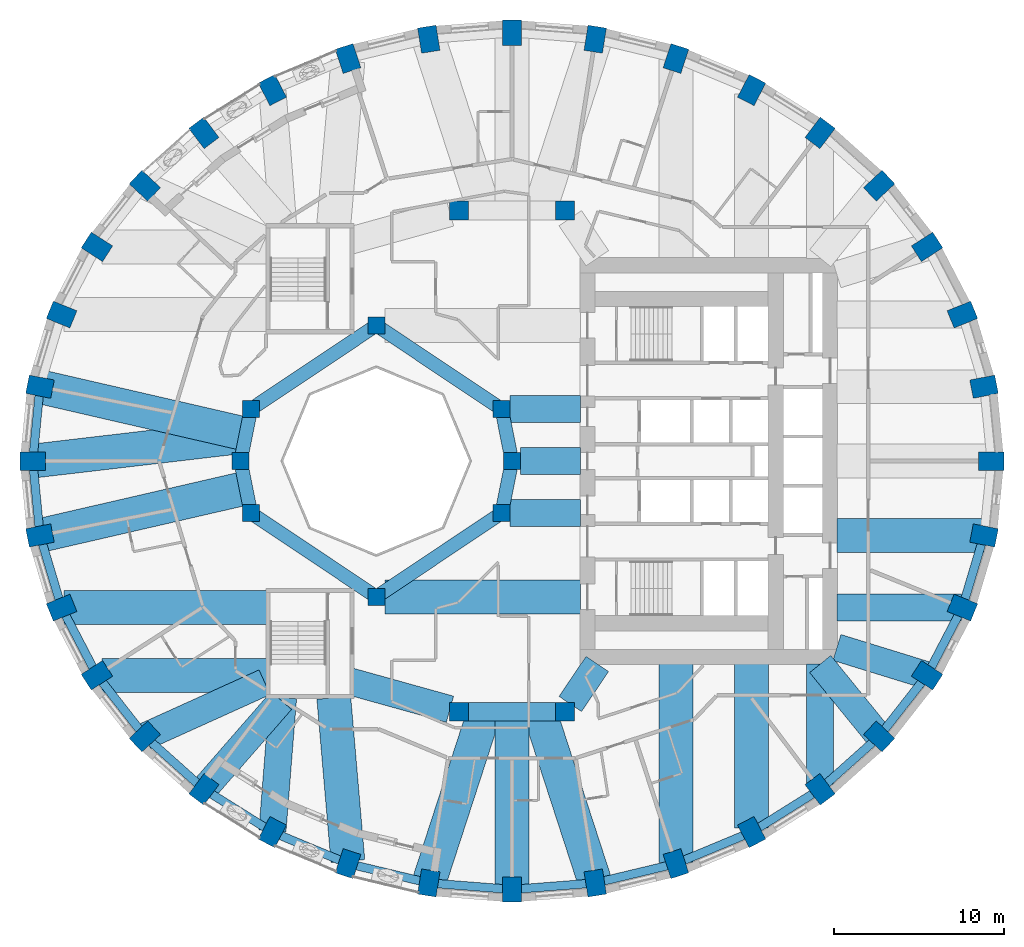
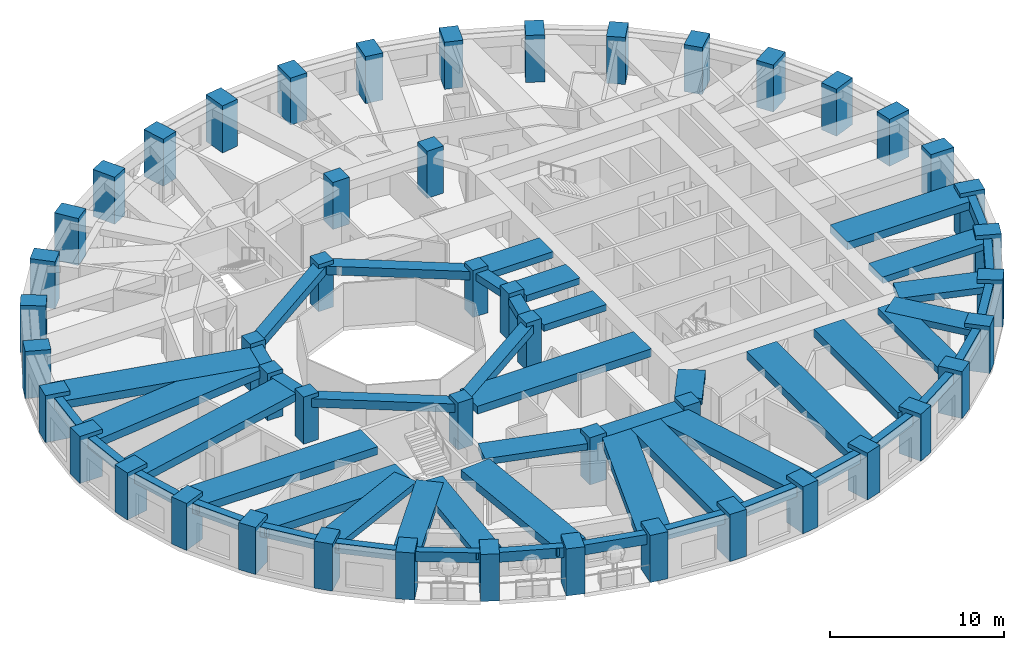
# One storey, part 1 of 13: 52 beams, 48 columns.
"""IFC4 building model written with IfcOpenShell, lengths in metres."""

from ifc_helpers import new_model, si_unit, direction, frame, origin, origin_2d, place, context, subcontext, project, spatial, rectangle, extrude, material, material_profile, profile_set, type_object, element, save


model = new_model("IFC4")

# Units and contexts
model_context = context("Model", 3, precision=1e-05, world=origin(), true_north=direction((0.0, 1.0)))
body_context = subcontext(model_context, "Body", "Model", "MODEL_VIEW")
ifc_project = project(units=[si_unit("LENGTHUNIT", "METRE"), si_unit("AREAUNIT", "SQUARE_METRE"), si_unit("VOLUMEUNIT", "CUBIC_METRE"), si_unit("PLANEANGLEUNIT", "RADIAN"), si_unit("MASSUNIT", "GRAM", prefix="KILO")], contexts=[model_context])

# Site, building, storey
site_placement = place(None, origin())
site = spatial("IfcSite", under=ifc_project, at=site_placement, CompositionType="ELEMENT")
building_placement = place(site_placement, origin())
building = spatial("IfcBuilding", under=site, at=building_placement, Name="Taillehof Tower", CompositionType="ELEMENT")
storey_placement = place(building_placement, frame((0.0, 0.0, 44.800048828125)))
storey = spatial("IfcBuildingStorey", under=building, at=storey_placement, Name="L11", CompositionType="ELEMENT", Elevation=44.800048828125)

# Columns
ifc_material_1 = material(Name="Concrete C50/60", Category="concrete")
ifc_material_profile_1 = material_profile(ifc_material_1, rectangle(XDim=1.0, YDim=1.0, at=origin_2d()), Name="RC 1000x1000")
ifc_profile_set_1 = profile_set([ifc_material_profile_1], Name="Concrete C50/60")
column_type_1 = type_object("IfcColumnType", Name="Atrium ring column C50/60 1000x1000", PredefinedType="COLUMN", material=ifc_profile_set_1)
for number, where, z_axis, x_axis, name in (
    (1, (0.0, 0.0, 0.0), (0.0, 0.0, 1.0), (1.0, 0.0, 0.0), "Column AC01"),
    (2, (-8.0, 8.0, 0.0), (0.0, 0.0, 1.0), (1.0, 0.0, 0.0), "Column AC05"),
    (3, (-15.39111328125, 3.0615234375, 0.0), (0.0, 0.0, 1.0), (1.0, 0.0, 0.0), "Column AC08"),
    (4, (-16.0, 0.0, 0.0), (0.0, 0.0, 1.0), (1.0, 0.0, 0.0), "Column AC09"),
    (5, (-15.39111328125, -3.0615234375, 0.0), (0.0, 0.0, 1.0), (1.0, 0.0, 0.0), "Column AC10"),
    (6, (-8.0, -8.0, 0.0), (0.0, 0.0, 1.0), (1.0, 0.0, 0.0), "Column AC13"),
):
    element("IfcColumn", number, at=place(storey_placement, frame(where, z_axis=z_axis, x_axis=x_axis)), inside=storey, type_object=column_type_1, Name=name, PredefinedType="COLUMN", context=body_context, shape_type="SweptSolid", body=[
        extrude(rectangle(XDim=1.0, YDim=1.0, at=origin_2d()), origin(), (0.0, 0.0, 1.0), 3.300048828125),
    ])
ifc_material_2 = material(Name="Concrete C60/75", Category="concrete")
ifc_material_profile_2 = material_profile(ifc_material_2, rectangle(XDim=1.0, YDim=1.0, at=origin_2d()), Name="RC 1000x1000")
ifc_profile_set_2 = profile_set([ifc_material_profile_2], Name="Concrete C60/75")
column_type_2 = type_object("IfcColumnType", Name="Atrium ring column C60/75 1000x1000", PredefinedType="COLUMN", material=ifc_profile_set_2)
for number, where, z_axis, x_axis, name in (
    (7, (-0.60888671875, 3.0615234375, 0.0), (0.0, 0.0, 1.0), (1.0, 0.0, 0.0), "Column AC02"),
    (8, (-0.60888671875, -3.0615234375, 0.0), (0.0, 0.0, 1.0), (1.0, 0.0, 0.0), "Column AC16"),
):
    element("IfcColumn", number, at=place(storey_placement, frame(where, z_axis=z_axis, x_axis=x_axis)), inside=storey, type_object=column_type_2, Name=name, PredefinedType="COLUMN", context=body_context, shape_type="SweptSolid", body=[
        extrude(rectangle(XDim=1.0, YDim=1.0, at=origin_2d()), origin(), (0.0, 0.0, 1.0), 3.300048828125),
    ])
ifc_material_3 = material(Name="Concrete C60/75", Category="concrete")
ifc_material_profile_3 = material_profile(ifc_material_3, rectangle(XDim=1.10009765625, YDim=1.10009765625, at=origin_2d()), Name="RC 1100x1100")
ifc_profile_set_3 = profile_set([ifc_material_profile_3], Name="Concrete C60/75")
column_type_3 = type_object("IfcColumnType", Name="Mid-ring column C60/75 1100x1100", PredefinedType="COLUMN", material=ifc_profile_set_3)
for number, where, z_axis, x_axis, name in (
    (9, (3.125732421875, 14.772216796875, 0.0), (0.0, 0.0, 1.0), (1.0, 0.0, 0.0), "Column MC05"),
    (10, (3.125732421875, -14.772216796875, 0.0), (0.0, 0.0, 1.0), (1.0, 0.0, 0.0), "Column MC15"),
):
    element("IfcColumn", number, at=place(storey_placement, frame(where, z_axis=z_axis, x_axis=x_axis)), inside=storey, type_object=column_type_3, Name=name, PredefinedType="COLUMN", context=body_context, shape_type="SweptSolid", body=[
        extrude(rectangle(XDim=1.10009765625, YDim=1.10009765625, at=origin_2d()), origin(), (0.0, 0.0, 1.0), 3.300048828125),
    ])
ifc_material_4 = material(Name="Concrete C70/85", Category="concrete")
ifc_material_profile_4 = material_profile(ifc_material_4, rectangle(XDim=1.10009765625, YDim=1.10009765625, at=origin_2d()), Name="RC 1100x1100")
ifc_profile_set_4 = profile_set([ifc_material_profile_4], Name="Concrete C70/85")
column_type_4 = type_object("IfcColumnType", Name="Mid-ring column C70/85 1100x1100", PredefinedType="COLUMN", material=ifc_profile_set_4)
for number, where, z_axis, x_axis, name in (
    (11, (-3.125732421875, 14.772216796875, 0.0), (0.0, 0.0, 1.0), (1.0, 0.0, 0.0), "Column MC06"),
    (12, (-3.125732421875, -14.772216796875, 0.0), (0.0, 0.0, 1.0), (1.0, 0.0, 0.0), "Column MC14"),
):
    element("IfcColumn", number, at=place(storey_placement, frame(where, z_axis=z_axis, x_axis=x_axis)), inside=storey, type_object=column_type_4, Name=name, PredefinedType="COLUMN", context=body_context, shape_type="SweptSolid", body=[
        extrude(rectangle(XDim=1.10009765625, YDim=1.10009765625, at=origin_2d()), origin(), (0.0, 0.0, 1.0), 3.300048828125),
    ])
ifc_material_5 = material(Name="Concrete C70/85", Category="concrete")
ifc_material_profile_5 = material_profile(ifc_material_5, rectangle(XDim=1.5, YDim=1.10009765625, at=origin_2d()), Name="RC 1500x1100")
ifc_profile_set_5 = profile_set([ifc_material_profile_5], Name="Concrete C70/85")
column_type_5 = type_object("IfcColumnType", Name="Ring column C70/85 1500x1100", PredefinedType="COLUMN", material=ifc_profile_set_5)
for number, where, z_axis, x_axis, name in (
    (13, (28.25, 0.0, 0.0), (0.0, 0.0, 1.0), (1.0, 0.0, 0.0), "Ring column RC01"),
    (14, (27.82080078125, 4.384521484375, 0.0), (0.0, 0.0, 1.0), (0.98120354895, 0.192975634545, 0.0), "Ring column RC02"),
    (15, (26.54638671875, 8.635986328125, 0.0), (0.0, 0.0, 1.0), (0.926558045297, 0.37615181602, 0.0), "Ring column RC03"),
    (16, (24.46533203125, 12.625, 0.0), (0.0, 0.0, 1.0), (0.840753565229, 0.541417992456, 0.0), "Ring column RC04"),
    (17, (21.640869140625, 16.23046875, 0.0), (0.0, 0.0, 1.0), (0.730113022917, 0.683326403535, 0.0), "Ring column RC05"),
    (18, (18.15869140625, 19.342529296875, 0.0), (0.0, 0.0, 1.0), (0.601173783055, 0.79911831575, 0.0), "Ring column RC06"),
    (19, (14.125, 21.8671875, 0.0), (0.0, 0.0, 1.0), (0.459691308511, 0.888078769524, 0.0), "Ring column RC07"),
    (20, (9.662109375, 23.727294921875, 0.0), (0.0, 0.0, 1.0), (0.310219183529, 0.950665060981, 0.0), "Ring column RC08"),
    (21, (4.905517578125, 24.866455078125, 0.0), (0.0, 0.0, 1.0), (0.15614709407, 0.987733812833, 0.0), "Ring column RC09"),
    (22, (0.0, 25.25, 0.0), (0.0, 0.0, 1.0), (0.0, 1.0, 0.0), "Ring column RC10"),
    (23, (-4.905517578125, 24.866455078125, 0.0), (0.0, 0.0, 1.0), (-0.15614709407, 0.987733812833, 0.0), "Ring column RC11"),
    (24, (-9.662109375, 23.727294921875, 0.0), (0.0, 0.0, 1.0), (-0.310219183529, 0.950665060981, 0.0), "Ring column RC12"),
    (25, (-14.125, 21.8671875, 0.0), (0.0, 0.0, 1.0), (-0.459691308511, 0.888078769524, 0.0), "Ring column RC13"),
    (26, (-18.15869140625, 19.342529296875, 0.0), (0.0, 0.0, 1.0), (-0.601173783055, 0.79911831575, 0.0), "Ring column RC14"),
    (27, (-21.640869140625, 16.23046875, 0.0), (0.0, 0.0, 1.0), (-0.730113022917, 0.683326403535, 0.0), "Ring column RC15"),
    (28, (-24.46533203125, 12.625, 0.0), (0.0, 0.0, 1.0), (-0.840753565229, 0.541417992456, 0.0), "Ring column RC16"),
    (29, (-26.54638671875, 8.635986328125, 0.0), (0.0, 0.0, 1.0), (-0.926558045297, 0.37615181602, 0.0), "Ring column RC17"),
    (30, (-27.82080078125, 4.384521484375, 0.0), (0.0, 0.0, 1.0), (-0.98120354895, 0.192975634545, 0.0), "Ring column RC18"),
    (31, (-28.25, 0.0, 0.0), (0.0, 0.0, 1.0), (-1.0, 0.0, 0.0), "Ring column RC19"),
    (32, (-27.82080078125, -4.384521484375, 0.0), (0.0, 0.0, 1.0), (-0.98120354895, -0.192975634545, 0.0), "Ring column RC20"),
    (33, (-26.54638671875, -8.635986328125, 0.0), (0.0, 0.0, 1.0), (-0.926558045297, -0.37615181602, 0.0), "Ring column RC21"),
    (34, (-24.46533203125, -12.625, 0.0), (0.0, 0.0, 1.0), (-0.840753565229, -0.541417992456, 0.0), "Ring column RC22"),
    (35, (-21.640869140625, -16.23046875, 0.0), (0.0, 0.0, 1.0), (-0.730113022917, -0.683326403535, 0.0), "Ring column RC23"),
    (36, (-18.15869140625, -19.342529296875, 0.0), (0.0, 0.0, 1.0), (-0.601173783055, -0.79911831575, 0.0), "Ring column RC24"),
    (37, (-14.125, -21.8671875, 0.0), (0.0, 0.0, 1.0), (-0.459691308511, -0.888078769524, 0.0), "Ring column RC25"),
    (38, (-9.662109375, -23.727294921875, 0.0), (0.0, 0.0, 1.0), (-0.310219183529, -0.950665060981, 0.0), "Ring column RC26"),
    (39, (-4.905517578125, -24.866455078125, 0.0), (0.0, 0.0, 1.0), (-0.15614709407, -0.987733812833, 0.0), "Ring column RC27"),
    (40, (0.0, -25.25, 0.0), (0.0, 0.0, 1.0), (0.0, -1.0, 0.0), "Ring column RC28"),
    (41, (4.905517578125, -24.866455078125, 0.0), (0.0, 0.0, 1.0), (0.15614709407, -0.987733812833, 0.0), "Ring column RC29"),
    (42, (9.662109375, -23.727294921875, 0.0), (0.0, 0.0, 1.0), (0.310219183529, -0.950665060981, 0.0), "Ring column RC30"),
    (43, (14.125, -21.8671875, 0.0), (0.0, 0.0, 1.0), (0.459691308511, -0.888078769524, 0.0), "Ring column RC31"),
    (44, (18.15869140625, -19.342529296875, 0.0), (0.0, 0.0, 1.0), (0.601173783055, -0.79911831575, 0.0), "Ring column RC32"),
    (45, (21.640869140625, -16.23046875, 0.0), (0.0, 0.0, 1.0), (0.730113022917, -0.683326403535, 0.0), "Ring column RC33"),
    (46, (24.46533203125, -12.625, 0.0), (0.0, 0.0, 1.0), (0.840753565229, -0.541417992456, 0.0), "Ring column RC34"),
    (47, (26.54638671875, -8.635986328125, 0.0), (0.0, 0.0, 1.0), (0.926558045297, -0.37615181602, 0.0), "Ring column RC35"),
    (48, (27.82080078125, -4.384521484375, 0.0), (0.0, 0.0, 1.0), (0.98120354895, -0.192975634545, 0.0), "Ring column RC36"),
):
    element("IfcColumn", number, at=place(storey_placement, frame(where, z_axis=z_axis, x_axis=x_axis)), inside=storey, type_object=column_type_5, Name=name, PredefinedType="COLUMN", context=body_context, shape_type="SweptSolid", body=[
        extrude(rectangle(XDim=1.5, YDim=1.10009765625, at=origin_2d()), origin(), (0.0, 0.0, 1.0), 3.300048828125),
    ])

# Beams
ifc_material_6 = material(Name="Concrete C50/60", Category="concrete")
ifc_material_profile_6 = material_profile(ifc_material_6, rectangle(XDim=0.800048828125, YDim=0.5, at=origin_2d()), Name="RC 800x500")
ifc_profile_set_6 = profile_set([ifc_material_profile_6], Name="Concrete C50/60")
beam_type_1 = type_object("IfcBeamType", Name="Atrium ring beam C50/60 800x500", PredefinedType="BEAM", material=ifc_profile_set_6)
for number, where, z_axis, x_axis, name in (
    (49, (0.0, 0.0, 2.77001953125), (-0.195063155143, 0.980790683839, 0.0), (-0.980790683839, -0.195063155143, 0.0), "Atrium ring beam AB01"),
    (50, (-15.39111328125, 3.0615234375, 2.77001953125), (-0.195063155143, -0.980790683839, 0.0), (0.980790683839, -0.195063155143, 0.0), "Atrium ring beam AB04"),
    (51, (-16.0, 0.0, 2.77001953125), (0.195063155143, -0.980790683839, 0.0), (0.980790683839, 0.195063155143, 0.0), "Atrium ring beam AB05"),
    (52, (-0.60888671875, -3.0615234375, 2.77001953125), (0.195063155143, 0.980790683839, 0.0), (-0.980790683839, 0.195063155143, 0.0), "Atrium ring beam AB08"),
):
    element("IfcBeam", number, at=place(storey_placement, frame(where, z_axis=z_axis, x_axis=x_axis)), inside=storey, type_object=beam_type_1, Name=name, PredefinedType="BEAM", context=body_context, shape_type="SweptSolid", body=[
        extrude(rectangle(XDim=0.800048828125, YDim=0.5, at=origin_2d()), origin(), (0.0, 0.0, 1.0), 3.12158203125),
    ])
ifc_material_7 = material(Name="Concrete C50/60", Category="concrete")
ifc_material_profile_7 = material_profile(ifc_material_7, rectangle(XDim=0.800048828125, YDim=0.60009765625, at=origin_2d()), Name="RC 800x600")
ifc_profile_set_7 = profile_set([ifc_material_profile_7], Name="Concrete C50/60")
beam_type_2 = type_object("IfcBeamType", Name="Atrium ring beam C50/60 800x600", PredefinedType="BEAM", material=ifc_profile_set_7)
for number, where, z_axis, x_axis, name in (
    (53, (-0.60888671875, 3.0615234375, 2.719970703125), (-0.831475195687, 0.555561876804, 0.0), (-0.555561876804, -0.831475195687, 0.0), "Atrium ring beam AB02"),
    (54, (-8.0, 8.0, 2.719970703125), (-0.831475195687, -0.555561876804, 0.0), (0.555561876804, -0.831475195687, 0.0), "Atrium ring beam AB03"),
    (55, (-15.39111328125, -3.0615234375, 2.719970703125), (0.831475195687, -0.555561876804, 0.0), (0.555561876804, 0.831475195687, 0.0), "Atrium ring beam AB06"),
    (56, (-8.0, -8.0, 2.719970703125), (0.831475195687, 0.555561876804, 0.0), (-0.555561876804, 0.831475195687, 0.0), "Atrium ring beam AB07"),
):
    element("IfcBeam", number, at=place(storey_placement, frame(where, z_axis=z_axis, x_axis=x_axis)), inside=storey, type_object=beam_type_2, Name=name, PredefinedType="BEAM", context=body_context, shape_type="SweptSolid", body=[
        extrude(rectangle(XDim=0.800048828125, YDim=0.60009765625, at=origin_2d()), origin(), (0.0, 0.0, 1.0), 8.88916015625),
    ])
ifc_material_8 = material(Name="Concrete C50/60", Category="concrete")
ifc_material_profile_8 = material_profile(ifc_material_8, rectangle(XDim=1.10009765625, YDim=0.60009765625, at=origin_2d()), Name="RC 1100x600")
ifc_profile_set_8 = profile_set([ifc_material_profile_8], Name="Concrete C50/60")
beam_type_3 = type_object("IfcBeamType", Name="Mid-ring beam C50/60 1100x600", PredefinedType="BEAM", material=ifc_profile_set_8)
beam_1_placement = place(storey_placement, frame((-3.125732421875, -14.772216796875, 2.719970703125), z_axis=(1.0, 0.0, 0.0), x_axis=(0.0, 1.0, 0.0)))
element("IfcBeam", 57, at=beam_1_placement, inside=storey, type_object=beam_type_3, Name="Mid-ring beam MB02", PredefinedType="BEAM", context=body_context, shape_type="SweptSolid", body=[
    extrude(rectangle(XDim=1.10009765625, YDim=0.60009765625, at=origin_2d()), origin(), (0.0, 0.0, 1.0), 6.25146484375),
])
ifc_material_9 = material(Name="Concrete C50/60", Category="concrete")
ifc_material_profile_9 = material_profile(ifc_material_9, rectangle(XDim=1.60009765625, YDim=0.449951171875, at=origin_2d()), Name="RC 1600x450")
ifc_profile_set_9 = profile_set([ifc_material_profile_9], Name="Concrete C50/60")
beam_type_4 = type_object("IfcBeamType", Name="Radial band beam C50/60 1600x450", PredefinedType="BEAM", material=ifc_profile_set_9)
beam_2_placement = place(storey_placement, frame((-21.632568359375, -16.226806640625, 2.794921875), z_axis=(0.911100590789, 0.412184077161, 0.0), x_axis=(-0.412184077161, 0.911100590789, 0.0)))
element("IfcBeam", 58, at=beam_2_placement, inside=storey, type_object=beam_type_4, Name="Radial band beam RB23", PredefinedType="BEAM", context=body_context, shape_type="SweptSolid", body=[
    extrude(rectangle(XDim=1.60009765625, YDim=0.449951171875, at=origin_2d()), origin(), (0.0, 0.0, 1.0), 7.740966796875),
])
beam_3_placement = place(storey_placement, frame((-18.15869140625, -19.342529296875, 2.794921875), z_axis=(0.65721824087, 0.753700327628, 0.0), x_axis=(-0.753700327628, 0.65721824087, 0.0)))
element("IfcBeam", 59, at=beam_3_placement, inside=storey, type_object=beam_type_4, Name="Radial band beam RB24", PredefinedType="BEAM", context=body_context, shape_type="SweptSolid", body=[
    extrude(rectangle(XDim=1.60009765625, YDim=0.449951171875, at=origin_2d()), origin(), (0.0, 0.0, 1.0), 6.9384765625),
])
beam_4_placement = place(storey_placement, frame((-14.119873046875, -21.802978515625, 2.794921875), z_axis=(0.079184740988, 0.996859958467, 0.0), x_axis=(-0.996859958467, 0.079184740988, 0.0)))
element("IfcBeam", 60, at=beam_4_placement, inside=storey, type_object=beam_type_4, Name="Radial band beam RB25", PredefinedType="BEAM", context=body_context, shape_type="SweptSolid", body=[
    extrude(rectangle(XDim=1.60009765625, YDim=0.449951171875, at=origin_2d()), origin(), (0.0, 0.0, 1.0), 7.87744140625),
])
beam_5_placement = place(storey_placement, frame((18.15869140625, -19.05517578125, 2.794921875), z_axis=(0.0, 1.0, 0.0), x_axis=(-1.0, 0.0, 0.0)))
element("IfcBeam", 61, at=beam_5_placement, inside=storey, type_object=beam_type_4, Name="Radial band beam RB32", PredefinedType="BEAM", context=body_context, shape_type="SweptSolid", body=[
    extrude(rectangle(XDim=1.60009765625, YDim=0.449951171875, at=origin_2d()), origin(), (0.0, 0.0, 1.0), 7.105224609375),
])
beam_6_placement = place(storey_placement, frame((21.640869140625, -16.23046875, 2.794921875), z_axis=(-0.630988373846, 0.775792286679, 0.0), x_axis=(-0.775792286679, -0.630988373846, 0.0)))
element("IfcBeam", 62, at=beam_6_placement, inside=storey, type_object=beam_type_4, Name="Radial band beam RB33", PredefinedType="BEAM", context=body_context, shape_type="SweptSolid", body=[
    extrude(rectangle(XDim=1.60009765625, YDim=0.449951171875, at=origin_2d()), origin(), (0.0, 0.0, 1.0), 5.503173828125),
])
beam_7_placement = place(storey_placement, frame((24.46533203125, -12.625, 2.794921875), z_axis=(-0.955535654338, 0.294875589511, 0.0), x_axis=(-0.294875589511, -0.955535654338, 0.0)))
element("IfcBeam", 63, at=beam_7_placement, inside=storey, type_object=beam_type_4, Name="Radial band beam RB34", PredefinedType="BEAM", context=body_context, shape_type="SweptSolid", body=[
    extrude(rectangle(XDim=1.60009765625, YDim=0.449951171875, at=origin_2d()), origin(), (0.0, 0.0, 1.0), 5.560546875),
])
beam_8_placement = place(storey_placement, frame((26.490478515625, -8.635986328125, 2.794921875), z_axis=(-1.0, 0.0, 0.0), x_axis=(0.0, -1.0, 0.0)))
element("IfcBeam", 64, at=beam_8_placement, inside=storey, type_object=beam_type_4, Name="Radial band beam RB35", PredefinedType="BEAM", context=body_context, shape_type="SweptSolid", body=[
    extrude(rectangle(XDim=1.60009765625, YDim=0.449951171875, at=origin_2d()), origin(), (0.0, 0.0, 1.0), 7.340576171875),
])
beam_9_placement = place(storey_placement, frame((0.5, 0.0, 2.794921875), z_axis=(1.0, 0.0, 0.0), x_axis=(0.0, 1.0, 0.0)))
element("IfcBeam", 65, at=beam_9_placement, inside=storey, type_object=beam_type_4, Name="Inner band beam IB101", PredefinedType="BEAM", context=body_context, shape_type="SweptSolid", body=[
    extrude(rectangle(XDim=1.60009765625, YDim=0.449951171875, at=origin_2d()), origin(), (0.0, 0.0, 1.0), 3.550048828125),
])
for number, where, z_axis, x_axis, name in (
    (66, (-0.10888671875, 3.0615234375, 2.794921875), (1.0, 0.0, 0.0), (0.0, 1.0, 0.0), "Inner band beam IB102"),
    (67, (-0.10888671875, -3.0615234375, 2.794921875), (1.0, 0.0, 0.0), (0.0, 1.0, 0.0), "Inner band beam IB116"),
):
    element("IfcBeam", number, at=place(storey_placement, frame(where, z_axis=z_axis, x_axis=x_axis)), inside=storey, type_object=beam_type_4, Name=name, PredefinedType="BEAM", context=body_context, shape_type="SweptSolid", body=[
        extrude(rectangle(XDim=1.60009765625, YDim=0.449951171875, at=origin_2d()), origin(), (0.0, 0.0, 1.0), 4.158935546875),
    ])
beam_10_placement = place(storey_placement, frame((-3.655517578125, -14.624755859375, 2.794921875), z_axis=(-0.963459369536, 0.267854518821, 0.0), x_axis=(-0.267854518821, -0.963459369536, 0.0)))
element("IfcBeam", 68, at=beam_10_placement, inside=storey, type_object=beam_type_4, Name="Inner band beam IB214", PredefinedType="BEAM", context=body_context, shape_type="SweptSolid", body=[
    extrude(rectangle(XDim=1.60009765625, YDim=0.449951171875, at=origin_2d()), origin(), (0.0, 0.0, 1.0), 6.096923828125),
])
beam_11_placement = place(storey_placement, frame((3.433837890625, -14.31640625, 2.794921875), z_axis=(0.560112043398, 0.828416862962, 0.0), x_axis=(-0.828416862962, 0.560112043398, 0.0)))
element("IfcBeam", 69, at=beam_11_placement, inside=storey, type_object=beam_type_4, Name="Inner band beam IB215", PredefinedType="BEAM", context=body_context, shape_type="SweptSolid", body=[
    extrude(rectangle(XDim=1.60009765625, YDim=0.449951171875, at=origin_2d()), origin(), (0.0, 0.0, 1.0), 2.84619140625),
])
ifc_material_10 = material(Name="Concrete C50/60", Category="concrete")
ifc_material_profile_10 = material_profile(ifc_material_10, rectangle(XDim=2.0, YDim=0.550048828125, at=origin_2d()), Name="RC 2000x550")
ifc_profile_set_10 = profile_set([ifc_material_profile_10], Name="Concrete C50/60")
beam_type_5 = type_object("IfcBeamType", Name="Radial band beam C50/60 2000x550", PredefinedType="BEAM", material=ifc_profile_set_10)
beam_12_placement = place(storey_placement, frame((-27.82080078125, 4.384521484375, 2.744873046875), z_axis=(0.974509005862, -0.2243483842, 0.0), x_axis=(0.2243483842, 0.974509005862, 0.0)))
element("IfcBeam", 70, at=beam_12_placement, inside=storey, type_object=beam_type_5, Name="Radial band beam RB18", PredefinedType="BEAM", context=body_context, shape_type="SweptSolid", body=[
    extrude(rectangle(XDim=2.0, YDim=0.550048828125, at=origin_2d()), origin(), (0.0, 0.0, 1.0), 12.45458984375),
])
beam_13_placement = place(storey_placement, frame((-28.25, 0.0, 2.744873046875), z_axis=(0.993191188018, 0.11649576835, 0.0), x_axis=(-0.11649576835, 0.993191188018, 0.0)))
element("IfcBeam", 71, at=beam_13_placement, inside=storey, type_object=beam_type_5, Name="Radial band beam RB19", PredefinedType="BEAM", context=body_context, shape_type="SweptSolid", body=[
    extrude(rectangle(XDim=2.0, YDim=0.550048828125, at=origin_2d()), origin(), (0.0, 0.0, 1.0), 12.628662109375),
])
beam_14_placement = place(storey_placement, frame((-27.82080078125, -4.384521484375, 2.744873046875), z_axis=(0.974509005862, 0.2243483842, 0.0), x_axis=(-0.2243483842, 0.974509005862, 0.0)))
element("IfcBeam", 72, at=beam_14_placement, inside=storey, type_object=beam_type_5, Name="Radial band beam RB20", PredefinedType="BEAM", context=body_context, shape_type="SweptSolid", body=[
    extrude(rectangle(XDim=2.0, YDim=0.550048828125, at=origin_2d()), origin(), (0.0, 0.0, 1.0), 12.45458984375),
])
beam_15_placement = place(storey_placement, frame((-26.408935546875, -8.635986328125, 2.744873046875), z_axis=(1.0, 0.0, 0.0), x_axis=(0.0, 1.0, 0.0)))
element("IfcBeam", 73, at=beam_15_placement, inside=storey, type_object=beam_type_5, Name="Radial band beam RB21", PredefinedType="BEAM", context=body_context, shape_type="SweptSolid", body=[
    extrude(rectangle(XDim=2.0, YDim=0.550048828125, at=origin_2d()), origin(), (0.0, 0.0, 1.0), 11.958984375),
])
beam_16_placement = place(storey_placement, frame((-24.172607421875, -12.625, 2.744873046875), z_axis=(1.0, 0.0, 0.0), x_axis=(0.0, 1.0, 0.0)))
element("IfcBeam", 74, at=beam_16_placement, inside=storey, type_object=beam_type_5, Name="Radial band beam RB22", PredefinedType="BEAM", context=body_context, shape_type="SweptSolid", body=[
    extrude(rectangle(XDim=2.0, YDim=0.550048828125, at=origin_2d()), origin(), (0.0, 0.0, 1.0), 9.72265625),
])
beam_17_placement = place(storey_placement, frame((-9.675048828125, -23.575927734375, 2.744873046875), z_axis=(-0.085841202752, 0.996308831593, 0.0), x_axis=(-0.996308831593, -0.085841202752, 0.0)))
element("IfcBeam", 75, at=beam_17_placement, inside=storey, type_object=beam_type_5, Name="Radial band beam RB26", PredefinedType="BEAM", context=body_context, shape_type="SweptSolid", body=[
    extrude(rectangle(XDim=2.0, YDim=0.550048828125, at=origin_2d()), origin(), (0.0, 0.0, 1.0), 9.661376953125),
])
beam_18_placement = place(storey_placement, frame((-4.905517578125, -24.866455078125, 2.744873046875), z_axis=(0.309014294595, 0.951057393503, 0.0), x_axis=(-0.951057393503, 0.309014294595, 0.0)))
element("IfcBeam", 76, at=beam_18_placement, inside=storey, type_object=beam_type_5, Name="Radial band beam RB27", PredefinedType="BEAM", context=body_context, shape_type="SweptSolid", body=[
    extrude(rectangle(XDim=2.0, YDim=0.550048828125, at=origin_2d()), origin(), (0.0, 0.0, 1.0), 10.61376953125),
])
beam_19_placement = place(storey_placement, frame((0.0, -25.25, 2.744873046875), z_axis=(0.0, 1.0, 0.0), x_axis=(-1.0, 0.0, 0.0)))
element("IfcBeam", 77, at=beam_19_placement, inside=storey, type_object=beam_type_5, Name="Radial band beam RB28", PredefinedType="BEAM", context=body_context, shape_type="SweptSolid", body=[
    extrude(rectangle(XDim=2.0, YDim=0.550048828125, at=origin_2d()), origin(), (0.0, 0.0, 1.0), 10.477783203125),
])
beam_20_placement = place(storey_placement, frame((4.905517578125, -24.866455078125, 2.744873046875), z_axis=(-0.309014294595, 0.951057393503, 0.0), x_axis=(-0.951057393503, -0.309014294595, 0.0)))
element("IfcBeam", 78, at=beam_20_placement, inside=storey, type_object=beam_type_5, Name="Radial band beam RB29", PredefinedType="BEAM", context=body_context, shape_type="SweptSolid", body=[
    extrude(rectangle(XDim=2.0, YDim=0.550048828125, at=origin_2d()), origin(), (0.0, 0.0, 1.0), 10.61376953125),
])
beam_21_placement = place(storey_placement, frame((9.662109375, -23.664794921875, 2.744873046875), z_axis=(0.0, 1.0, 0.0), x_axis=(-1.0, 0.0, 0.0)))
element("IfcBeam", 79, at=beam_21_placement, inside=storey, type_object=beam_type_5, Name="Radial band beam RB30", PredefinedType="BEAM", context=body_context, shape_type="SweptSolid", body=[
    extrude(rectangle(XDim=2.0, YDim=0.550048828125, at=origin_2d()), origin(), (0.0, 0.0, 1.0), 11.71484375),
])
beam_22_placement = place(storey_placement, frame((14.125, -21.63232421875, 2.744873046875), z_axis=(0.0, 1.0, 0.0), x_axis=(-1.0, 0.0, 0.0)))
element("IfcBeam", 80, at=beam_22_placement, inside=storey, type_object=beam_type_5, Name="Radial band beam RB31", PredefinedType="BEAM", context=body_context, shape_type="SweptSolid", body=[
    extrude(rectangle(XDim=2.0, YDim=0.550048828125, at=origin_2d()), origin(), (0.0, 0.0, 1.0), 9.682373046875),
])
beam_23_placement = place(storey_placement, frame((27.82080078125, -4.384521484375, 2.744873046875), z_axis=(-1.0, 0.0, 0.0), x_axis=(0.0, -1.0, 0.0)))
element("IfcBeam", 81, at=beam_23_placement, inside=storey, type_object=beam_type_5, Name="Radial band beam RB36", PredefinedType="BEAM", context=body_context, shape_type="SweptSolid", body=[
    extrude(rectangle(XDim=2.0, YDim=0.550048828125, at=origin_2d()), origin(), (0.0, 0.0, 1.0), 8.6708984375),
])
beam_24_placement = place(storey_placement, frame((-7.5, -8.0, 2.744873046875), z_axis=(1.0, 0.0, 0.0), x_axis=(0.0, 1.0, 0.0)))
element("IfcBeam", 82, at=beam_24_placement, inside=storey, type_object=beam_type_5, Name="Inner band beam IB113", PredefinedType="BEAM", context=body_context, shape_type="SweptSolid", body=[
    extrude(rectangle(XDim=2.0, YDim=0.550048828125, at=origin_2d()), origin(), (0.0, 0.0, 1.0), 11.550048828125),
])
ifc_material_11 = material(Name="Concrete C50/60", Category="concrete")
ifc_material_profile_11 = material_profile(ifc_material_11, rectangle(XDim=0.5, YDim=0.699951171875, at=origin_2d()), Name="RC 500x700")
ifc_profile_set_11 = profile_set([ifc_material_profile_11], Name="Concrete C50/60")
beam_type_6 = type_object("IfcBeamType", Name="Spandrel beam C50/60 500x700", PredefinedType="SPANDREL", material=ifc_profile_set_11)
for number, where, z_axis, x_axis, name in (
    (83, (-27.82080078125, 4.384521484375, 2.669921875), (-0.097423973567, -0.99524297002, 0.0), (0.99524297002, -0.097423973567, 0.0), "Spandrel beam SB18"),
    (84, (-28.25, 0.0, 2.669921875), (0.097423973567, -0.99524297002, 0.0), (0.99524297002, 0.097423973567, 0.0), "Spandrel beam SB19"),
):
    element("IfcBeam", number, at=place(storey_placement, frame(where, z_axis=z_axis, x_axis=x_axis)), inside=storey, type_object=beam_type_6, Name=name, PredefinedType="SPANDREL", context=body_context, shape_type="SweptSolid", body=[
        extrude(rectangle(XDim=0.5, YDim=0.699951171875, at=origin_2d()), origin(), (0.0, 0.0, 1.0), 4.405517578125),
    ])
beam_25_placement = place(storey_placement, frame((-27.82080078125, -4.384521484375, 2.669921875), z_axis=(0.287135925407, -0.957889847707, 0.0), x_axis=(0.957889847707, 0.287135925407, 0.0)))
element("IfcBeam", 85, at=beam_25_placement, inside=storey, type_object=beam_type_6, Name="Spandrel beam SB20", PredefinedType="SPANDREL", context=body_context, shape_type="SweptSolid", body=[
    extrude(rectangle(XDim=0.5, YDim=0.699951171875, at=origin_2d()), origin(), (0.0, 0.0, 1.0), 4.4384765625),
])
beam_26_placement = place(storey_placement, frame((-26.54638671875, -8.635986328125, 2.669921875), z_axis=(0.462536335232, -0.886600326297, 0.0), x_axis=(0.886600326297, 0.462536335232, 0.0)))
element("IfcBeam", 86, at=beam_26_placement, inside=storey, type_object=beam_type_6, Name="Spandrel beam SB21", PredefinedType="SPANDREL", context=body_context, shape_type="SweptSolid", body=[
    extrude(rectangle(XDim=0.5, YDim=0.699951171875, at=origin_2d()), origin(), (0.0, 0.0, 1.0), 4.499267578125),
])
beam_27_placement = place(storey_placement, frame((-24.46533203125, -12.625, 2.669921875), z_axis=(0.616686200373, -0.787209076593, 0.0), x_axis=(0.787209076593, 0.616686200373, 0.0)))
element("IfcBeam", 87, at=beam_27_placement, inside=storey, type_object=beam_type_6, Name="Spandrel beam SB22", PredefinedType="SPANDREL", context=body_context, shape_type="SweptSolid", body=[
    extrude(rectangle(XDim=0.5, YDim=0.699951171875, at=origin_2d()), origin(), (0.0, 0.0, 1.0), 4.580078125),
])
beam_28_placement = place(storey_placement, frame((-21.640869140625, -16.23046875, 2.669921875), z_axis=(0.745621283614, -0.666369943366, 0.0), x_axis=(0.666369943366, 0.745621283614, 0.0)))
element("IfcBeam", 88, at=beam_28_placement, inside=storey, type_object=beam_type_6, Name="Spandrel beam SB23", PredefinedType="SPANDREL", context=body_context, shape_type="SweptSolid", body=[
    extrude(rectangle(XDim=0.5, YDim=0.699951171875, at=origin_2d()), origin(), (0.0, 0.0, 1.0), 4.670166015625),
])
beam_29_placement = place(storey_placement, frame((-18.15869140625, -19.342529296875, 2.669921875), z_axis=(0.847658018883, -0.530543007703, 0.0), x_axis=(0.530543007703, 0.847658018883, 0.0)))
element("IfcBeam", 89, at=beam_29_placement, inside=storey, type_object=beam_type_6, Name="Spandrel beam SB24", PredefinedType="SPANDREL", context=body_context, shape_type="SweptSolid", body=[
    extrude(rectangle(XDim=0.5, YDim=0.699951171875, at=origin_2d()), origin(), (0.0, 0.0, 1.0), 4.758544921875),
])
beam_30_placement = place(storey_placement, frame((-14.125, -21.8671875, 2.669921875), z_axis=(0.923035088053, -0.384715773297, 0.0), x_axis=(0.384715773297, 0.923035088053, 0.0)))
element("IfcBeam", 90, at=beam_30_placement, inside=storey, type_object=beam_type_6, Name="Spandrel beam SB25", PredefinedType="SPANDREL", context=body_context, shape_type="SweptSolid", body=[
    extrude(rectangle(XDim=0.5, YDim=0.699951171875, at=origin_2d()), origin(), (0.0, 0.0, 1.0), 4.8349609375),
])
beam_31_placement = place(storey_placement, frame((-9.662109375, -23.727294921875, 2.669921875), z_axis=(0.9724995553, -0.232904733616, 0.0), x_axis=(0.232904733616, 0.9724995553, 0.0)))
element("IfcBeam", 91, at=beam_31_placement, inside=storey, type_object=beam_type_6, Name="Spandrel beam SB26", PredefinedType="SPANDREL", context=body_context, shape_type="SweptSolid", body=[
    extrude(rectangle(XDim=0.5, YDim=0.699951171875, at=origin_2d()), origin(), (0.0, 0.0, 1.0), 4.89111328125),
])
for number, where, z_axis, x_axis, name in (
    (92, (-4.905517578125, -24.866455078125, 2.669921875), (0.996957383661, -0.077948541767, 0.0), (0.077948541767, 0.996957383661, 0.0), "Spandrel beam SB27"),
    (93, (0.0, -25.25, 2.669921875), (0.996957383661, 0.077948541767, 0.0), (-0.077948541767, 0.996957383661, 0.0), "Spandrel beam SB28"),
):
    element("IfcBeam", number, at=place(storey_placement, frame(where, z_axis=z_axis, x_axis=x_axis)), inside=storey, type_object=beam_type_6, Name=name, PredefinedType="SPANDREL", context=body_context, shape_type="SweptSolid", body=[
        extrude(rectangle(XDim=0.5, YDim=0.699951171875, at=origin_2d()), origin(), (0.0, 0.0, 1.0), 4.92041015625),
    ])
beam_32_placement = place(storey_placement, frame((4.905517578125, -24.866455078125, 2.669921875), z_axis=(0.9724995553, 0.232904733616, 0.0), x_axis=(-0.232904733616, 0.9724995553, 0.0)))
element("IfcBeam", 94, at=beam_32_placement, inside=storey, type_object=beam_type_6, Name="Spandrel beam SB29", PredefinedType="SPANDREL", context=body_context, shape_type="SweptSolid", body=[
    extrude(rectangle(XDim=0.5, YDim=0.699951171875, at=origin_2d()), origin(), (0.0, 0.0, 1.0), 4.89111328125),
])
beam_33_placement = place(storey_placement, frame((9.662109375, -23.727294921875, 2.669921875), z_axis=(0.923035088053, 0.384715773297, 0.0), x_axis=(-0.384715773297, 0.923035088053, 0.0)))
element("IfcBeam", 95, at=beam_33_placement, inside=storey, type_object=beam_type_6, Name="Spandrel beam SB30", PredefinedType="SPANDREL", context=body_context, shape_type="SweptSolid", body=[
    extrude(rectangle(XDim=0.5, YDim=0.699951171875, at=origin_2d()), origin(), (0.0, 0.0, 1.0), 4.8349609375),
])
beam_34_placement = place(storey_placement, frame((14.125, -21.8671875, 2.669921875), z_axis=(0.847658018883, 0.530543007703, 0.0), x_axis=(-0.530543007703, 0.847658018883, 0.0)))
element("IfcBeam", 96, at=beam_34_placement, inside=storey, type_object=beam_type_6, Name="Spandrel beam SB31", PredefinedType="SPANDREL", context=body_context, shape_type="SweptSolid", body=[
    extrude(rectangle(XDim=0.5, YDim=0.699951171875, at=origin_2d()), origin(), (0.0, 0.0, 1.0), 4.758544921875),
])
beam_35_placement = place(storey_placement, frame((18.15869140625, -19.342529296875, 2.669921875), z_axis=(0.745621283614, 0.666369943366, 0.0), x_axis=(-0.666369943366, 0.745621283614, 0.0)))
element("IfcBeam", 97, at=beam_35_placement, inside=storey, type_object=beam_type_6, Name="Spandrel beam SB32", PredefinedType="SPANDREL", context=body_context, shape_type="SweptSolid", body=[
    extrude(rectangle(XDim=0.5, YDim=0.699951171875, at=origin_2d()), origin(), (0.0, 0.0, 1.0), 4.670166015625),
])
beam_36_placement = place(storey_placement, frame((21.640869140625, -16.23046875, 2.669921875), z_axis=(0.616686200373, 0.787209076593, 0.0), x_axis=(-0.787209076593, 0.616686200373, 0.0)))
element("IfcBeam", 98, at=beam_36_placement, inside=storey, type_object=beam_type_6, Name="Spandrel beam SB33", PredefinedType="SPANDREL", context=body_context, shape_type="SweptSolid", body=[
    extrude(rectangle(XDim=0.5, YDim=0.699951171875, at=origin_2d()), origin(), (0.0, 0.0, 1.0), 4.580078125),
])
beam_37_placement = place(storey_placement, frame((24.46533203125, -12.625, 2.669921875), z_axis=(0.462536335232, 0.886600326297, 0.0), x_axis=(-0.886600326297, 0.462536335232, 0.0)))
element("IfcBeam", 99, at=beam_37_placement, inside=storey, type_object=beam_type_6, Name="Spandrel beam SB34", PredefinedType="SPANDREL", context=body_context, shape_type="SweptSolid", body=[
    extrude(rectangle(XDim=0.5, YDim=0.699951171875, at=origin_2d()), origin(), (0.0, 0.0, 1.0), 4.499267578125),
])
beam_38_placement = place(storey_placement, frame((26.54638671875, -8.635986328125, 2.669921875), z_axis=(0.287135925407, 0.957889847707, 0.0), x_axis=(-0.957889847707, 0.287135925407, 0.0)))
element("IfcBeam", 100, at=beam_38_placement, inside=storey, type_object=beam_type_6, Name="Spandrel beam SB35", PredefinedType="SPANDREL", context=body_context, shape_type="SweptSolid", body=[
    extrude(rectangle(XDim=0.5, YDim=0.699951171875, at=origin_2d()), origin(), (0.0, 0.0, 1.0), 4.4384765625),
])

save(model, "model.ifc")
